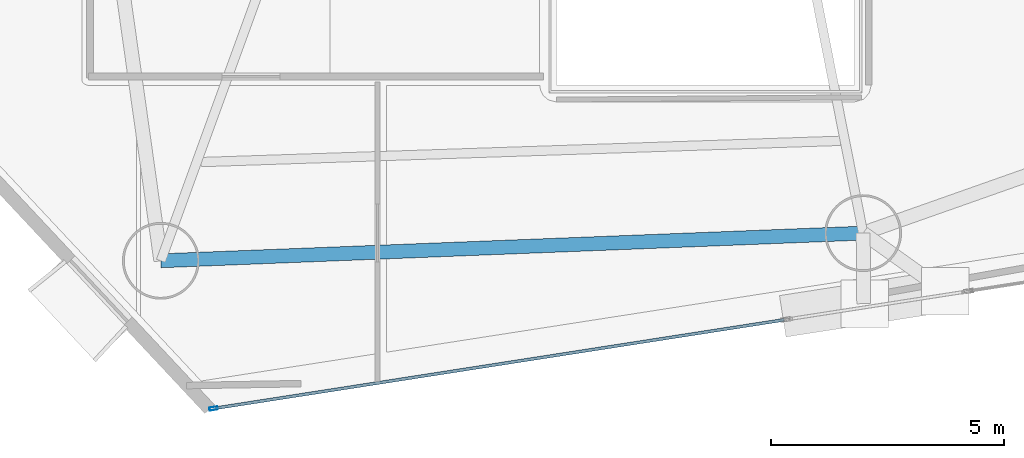
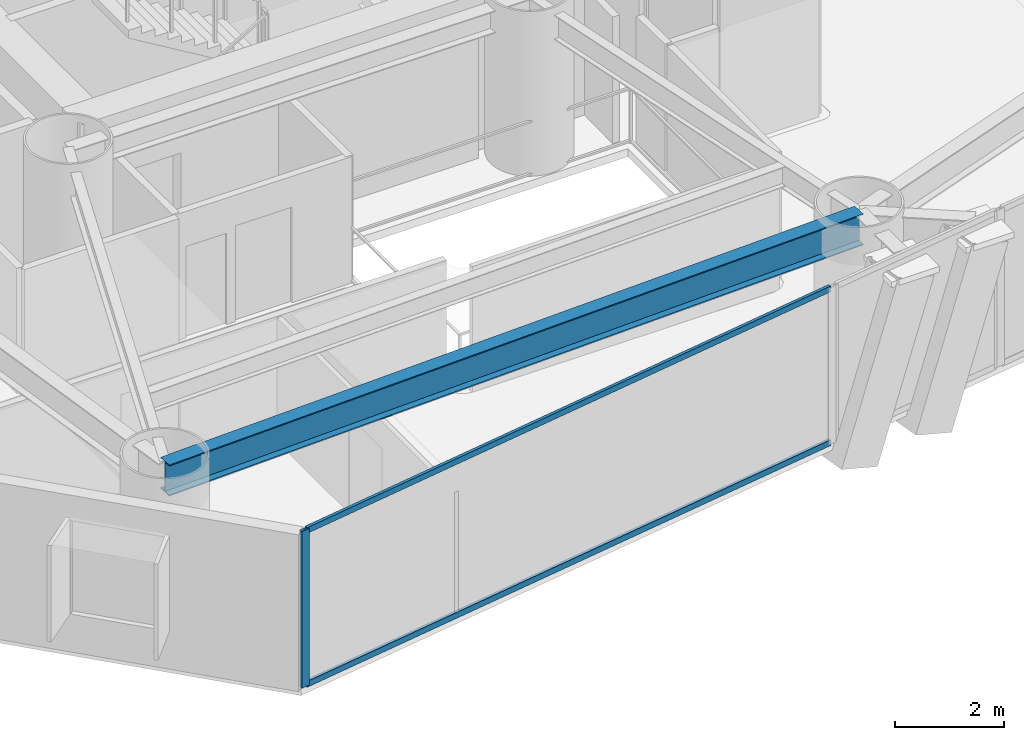
# One storey, part 2 of 23: 3 members, 1 beam, 1 element without a shape of its own.
"""IFC4 building model written with IfcOpenShell, lengths in metres."""

from ifc_helpers import new_model, si_unit, direction, frame, origin, origin_2d, place, context, subcontext, project, spatial, hollow_rectangle, i_section, extrude, material, layer, layer_set, material_profile, profile_set, type_object, element, aggregate, save


model = new_model("IFC4")

# Units and contexts
model_context = context("Model", 3, precision=1e-05, world=origin(), true_north=direction((0.0, 1.0)))
body_context = subcontext(model_context, "Body", "Model", "MODEL_VIEW")
ifc_project = project(units=[si_unit("LENGTHUNIT", "METRE"), si_unit("AREAUNIT", "SQUARE_METRE"), si_unit("VOLUMEUNIT", "CUBIC_METRE"), si_unit("PLANEANGLEUNIT", "RADIAN"), si_unit("MASSUNIT", "GRAM", prefix="KILO")], contexts=[model_context])

# Site, building, storey
site_placement = place(None, origin())
site = spatial("IfcSite", under=ifc_project, at=site_placement, CompositionType="ELEMENT")
building_placement = place(site_placement, origin())
building = spatial("IfcBuilding", under=site, at=building_placement, Name="Qianvela Tower", CompositionType="ELEMENT")
storey_placement = place(building_placement, frame((0.0, 0.0, 78.39990234375)))
storey = spatial("IfcBuildingStorey", under=building, at=storey_placement, Name="L19", CompositionType="ELEMENT", Elevation=78.39990234375)

# Beam
ifc_material_1 = material(Name="Steel Q355B", Category="steel")
ifc_material_profile_1 = material_profile(ifc_material_1, i_section(OverallWidth=0.300048828125, OverallDepth=0.699951171875, WebThickness=0.012939453125, FlangeThickness=0.02392578125, at=origin_2d()), Name="HN700x300x13x24")
ifc_profile_set_1 = profile_set([ifc_material_profile_1], Name="Steel Q355B")
beam_type = type_object("IfcBeamType", Name="BM-HN700-SPAND", PredefinedType="SPANDREL", material=ifc_profile_set_1)
beam_placement = place(storey_placement, frame((25.10009765625, 14.22509765625, 3.168212890625), z_axis=(0.999226043345, 0.039335916178, 0.0), x_axis=(-0.039335916178, 0.999226043345, 0.0)))
element("IfcBeam", 1, at=beam_placement, inside=storey, type_object=beam_type, Name="L19 Perimeter Ring Spandrel Girder 5", PredefinedType="SPANDREL", context=body_context, shape_type="SweptSolid", body=[
    extrude(i_section(OverallWidth=0.300048828125, OverallDepth=0.699951171875, WebThickness=0.012939453125, FlangeThickness=0.02392578125, at=origin_2d()), origin(), (0.0, 0.0, 1.0), 15.1005859375),
])

# Curtain wall, members
ifc_material_2 = material(Name="Anodised Architectural Aluminium and Low-E Glass", Category="aluminium")
ifc_layer = layer(ifc_material_2, 0.179931640625)
ifc_layer_set = layer_set([ifc_layer], Name="Anodised Architectural Aluminium and Low-E Glass")
curtain_wall_type = type_object("IfcCurtainWallType", Name="CW-COLIV-Z12", PredefinedType="USERDEFINED", material=ifc_layer_set)
curtain_wall_placement = place(storey_placement, origin())
curtain_wall = element("IfcCurtainWall", 2, at=curtain_wall_placement, inside=storey, type_object=curtain_wall_type, Name="L19 CW-COLIV-Z12 Curtain Wall 06A", ObjectType="CURTAIN_WALL_SYSTEM", PredefinedType="USERDEFINED")
ifc_material_3 = material(Name="Anodised Architectural Aluminium 6063-T6", Category="aluminium")
ifc_material_profile_2 = material_profile(ifc_material_3, hollow_rectangle(XDim=0.070068359375, YDim=0.179931640625, WallThickness=0.0048828125, at=origin_2d()), Name="ALU-MULL-70x180")
ifc_profile_set_2 = profile_set([ifc_material_profile_2], Name="Anodised Architectural Aluminium 6063-T6")
member_type_1 = type_object("IfcMemberType", Name="CW-COLIV-Z12-MULL", PredefinedType="MULLION", material=ifc_profile_set_2)
member_1_placement = place(storey_placement, frame((26.2314453125, 11.05078125, 0.0), z_axis=(0.0, 0.0, 1.0), x_axis=(-0.153549694725, 0.988140926816, 0.0)))
member_1 = element("IfcMember", 3, at=member_1_placement, type_object=member_type_1, Name="CW-3 mullion 1", PredefinedType="MULLION", context=body_context, shape_type="SweptSolid", body=[
    extrude(hollow_rectangle(XDim=0.070068359375, YDim=0.179931640625, WallThickness=0.0048828125, at=origin_2d()), origin(), (0.0, 0.0, 1.0), 3.52001953125),
])
ifc_material_4 = material(Name="Anodised Architectural Aluminium 6063-T6", Category="aluminium")
ifc_material_profile_3 = material_profile(ifc_material_4, hollow_rectangle(XDim=0.06494140625, YDim=0.1298828125, WallThickness=0.00439453125, at=origin_2d()), Name="ALU-TRAN-65x130")
ifc_profile_set_3 = profile_set([ifc_material_profile_3], Name="Anodised Architectural Aluminium 6063-T6")
member_type_2 = type_object("IfcMemberType", Name="CW-COLIV-Z12-TRAN", PredefinedType="USERDEFINED", material=ifc_profile_set_3)
member_2_placement = place(storey_placement, frame((26.26611328125, 11.05615234375, 0.03271484375), z_axis=(0.988140571041, 0.153551984235, 0.0), x_axis=(-0.153551984235, 0.988140571041, 0.0)))
member_2 = element("IfcMember", 4, at=member_2_placement, type_object=member_type_2, Name="CW-3 transom 1.1", ObjectType="TRANSOM", PredefinedType="USERDEFINED", context=body_context, shape_type="SweptSolid", body=[
    extrude(hollow_rectangle(XDim=0.06494140625, YDim=0.1298828125, WallThickness=0.00439453125, at=origin_2d()), origin(), (0.0, 0.0, 1.0), 12.369873046875),
])
member_3_placement = place(storey_placement, frame((26.26611328125, 11.05615234375, 3.487548828125), z_axis=(0.988140571041, 0.153551984235, 0.0), x_axis=(-0.153551984235, 0.988140571041, 0.0)))
member_3 = element("IfcMember", 5, at=member_3_placement, type_object=member_type_2, Name="CW-3 transom 1.2", ObjectType="TRANSOM", PredefinedType="USERDEFINED", context=body_context, shape_type="SweptSolid", body=[
    extrude(hollow_rectangle(XDim=0.06494140625, YDim=0.1298828125, WallThickness=0.00439453125, at=origin_2d()), origin(), (0.0, 0.0, 1.0), 12.369873046875),
])
aggregate(curtain_wall, [member_1, member_2, member_3])

save(model, "model.ifc")
